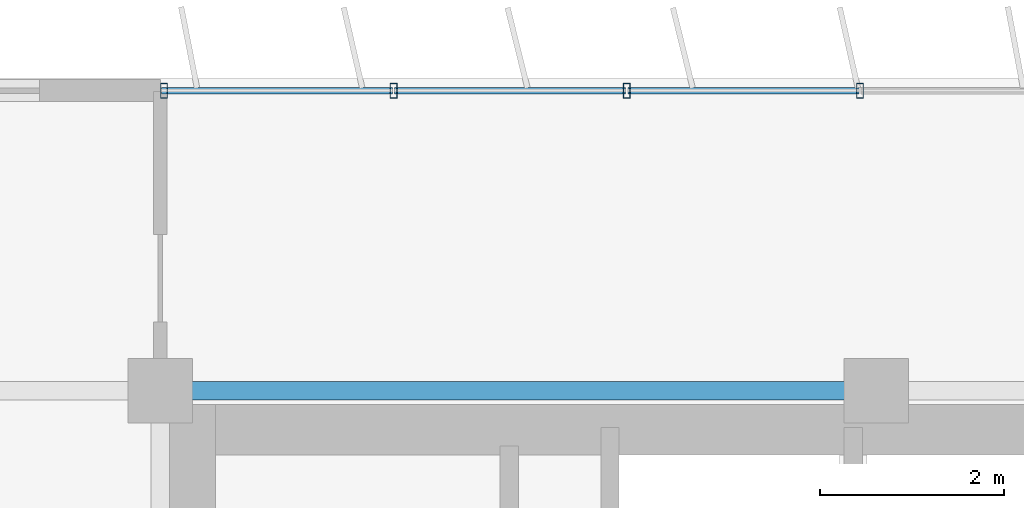
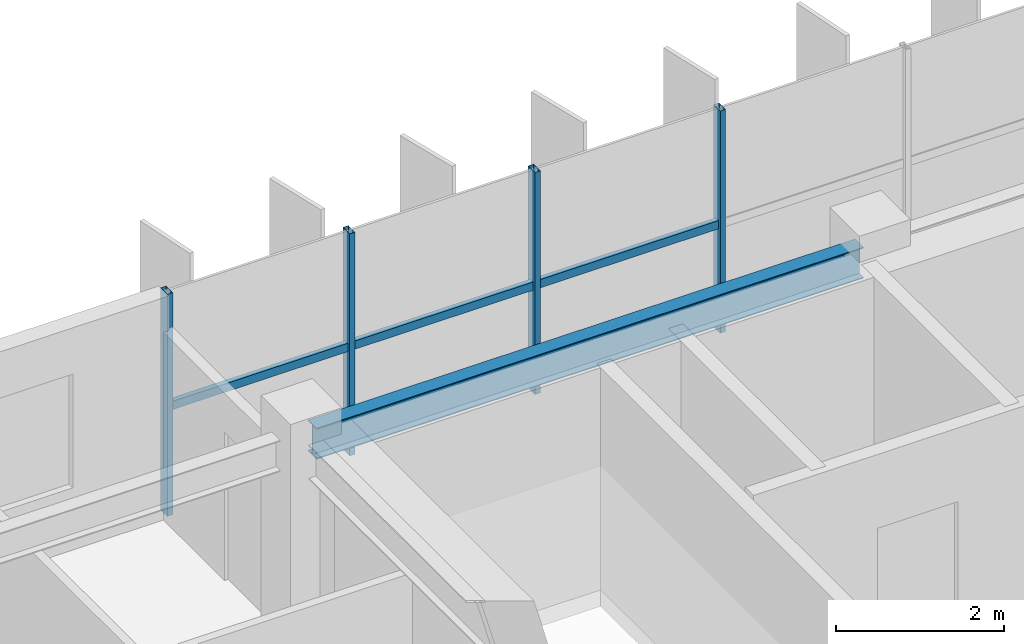
# One storey, part 19 of 37: 7 members, 1 beam, 1 element without a shape of its own.
"""IFC4 building model written with IfcOpenShell, lengths in metres."""

from ifc_helpers import new_model, si_unit, direction, frame, origin, origin_2d, place, context, subcontext, project, spatial, hollow_rectangle, i_section, extrude, source, transform, mapped, material, material_profile, profile_set, type_object, element, aggregate, save


model = new_model("IFC4")

# Units and contexts
model_context = context("Model", 3, precision=1e-05, world=origin(), true_north=direction((0.0, 1.0)))
body_context = subcontext(model_context, "Body", "Model", "MODEL_VIEW")
ifc_project = project(units=[si_unit("LENGTHUNIT", "METRE"), si_unit("AREAUNIT", "SQUARE_METRE"), si_unit("VOLUMEUNIT", "CUBIC_METRE"), si_unit("PLANEANGLEUNIT", "RADIAN"), si_unit("MASSUNIT", "GRAM", prefix="KILO")], contexts=[model_context])

# Site, building, storey
site_placement = place(None, origin())
site = spatial("IfcSite", under=ifc_project, at=site_placement, CompositionType="ELEMENT")
building_placement = place(site_placement, origin())
building = spatial("IfcBuilding", under=site, at=building_placement, Name="Trelvane Seafront Commons", CompositionType="ELEMENT")
storey_placement = place(building_placement, frame((0.0, 0.0, 201.300048828125)))
storey = spatial("IfcBuildingStorey", under=building, at=storey_placement, Name="L52", CompositionType="ELEMENT", Elevation=201.300048828125)

# Beam
ifc_material_1 = material(Name="Steel SM355 (S355)", Category="steel")
ifc_material_profile_1 = material_profile(ifc_material_1, i_section(OverallWidth=0.199951171875, OverallDepth=0.449951171875, WebThickness=0.009033203125, FlangeThickness=0.013916015625, at=origin_2d()), Name="H-450x200x9x14")
ifc_profile_set_1 = profile_set([ifc_material_profile_1], Name="Steel SM355 (S355)")
beam_type = type_object("IfcBeamType", Name="STR-SPD-H450", PredefinedType="SPANDREL", material=ifc_profile_set_1)
shared_shape_1 = source(origin(), body_context, "Body", "SweptSolid", [
    extrude(i_section(OverallWidth=0.199951171875, OverallDepth=0.449951171875, WebThickness=0.009033203125, FlangeThickness=0.013916015625, at=origin_2d()), origin(), (0.0, 0.0, 1.0), 7.5),
])
beam_placement = place(storey_placement, frame((15.75, 45.10009765625, 2.994873046875), z_axis=(1.0, 0.0, 0.0), x_axis=(0.0, 1.0, 0.0)))
element("IfcBeam", 1, at=beam_placement, inside=storey, type_object=beam_type, Name="L52 Primary Girder G-23", PredefinedType="SPANDREL", context=body_context, shape_type="MappedRepresentation", body=[
    mapped(shared_shape_1, transform((0.0, 0.0, 0.0), x_axis=(1.0, 0.0, 0.0), y_axis=(0.0, 1.0, 0.0), z_axis=(0.0, 0.0, 1.0), scale=1.0)),
])

# Curtain wall, members
ifc_material_2 = material(Name="Anodised pale-silver aluminium", Category="aluminium")
curtain_wall_type = type_object("IfcCurtainWallType", Name="ARCH-CW5-UPTOWER", PredefinedType="NOTDEFINED", material=ifc_material_2)
curtain_wall_placement = place(storey_placement, origin())
curtain_wall = element("IfcCurtainWall", 2, at=curtain_wall_placement, inside=storey, type_object=curtain_wall_type, Name="CW-L52-0090", PredefinedType="NOTDEFINED")
ifc_material_profile_2 = material_profile(ifc_material_2, hollow_rectangle(XDim=0.070068359375, YDim=0.1201171875, WallThickness=0.00390625, at=origin_2d()), Name="TRAN-70x120x4")
ifc_profile_set_2 = profile_set([ifc_material_profile_2], Name="Anodised pale-silver aluminium")
member_type_1 = type_object("IfcMemberType", Name="ARCH-CW-TRAN-120", PredefinedType="USERDEFINED", material=ifc_profile_set_2)
shared_shape_2 = source(origin(), body_context, "Body", "SweptSolid", [
    extrude(hollow_rectangle(XDim=0.070068359375, YDim=0.1201171875, WallThickness=0.00390625, at=origin_2d()), origin(), (0.0, 0.0, 1.0), 2.51708984375),
])
member_1_placement = place(storey_placement, frame((15.612060546875, 48.3701171875, 1.5458984375), z_axis=(1.0, 0.0, 0.0), x_axis=(0.0, 1.0, 0.0)))
member_1 = element("IfcMember", 3, at=member_1_placement, type_object=member_type_1, Name="CW-L52-0090-T00", ObjectType="TRANSOM", PredefinedType="USERDEFINED", context=body_context, shape_type="MappedRepresentation", body=[
    mapped(shared_shape_2, transform((0.0, 0.0, 0.0), x_axis=(1.0, 0.0, 0.0), y_axis=(0.0, 1.0, 0.0), z_axis=(0.0, 0.0, 1.0), scale=1.0)),
])
member_2_placement = place(storey_placement, frame((18.1533203125, 48.3701171875, 1.5458984375), z_axis=(1.0, 0.0, 0.0), x_axis=(0.0, 1.0, 0.0)))
member_2 = element("IfcMember", 4, at=member_2_placement, type_object=member_type_1, Name="CW-L52-0090-T01", ObjectType="TRANSOM", PredefinedType="USERDEFINED", context=body_context, shape_type="MappedRepresentation", body=[
    mapped(shared_shape_2, transform((0.0, 0.0, 0.0), x_axis=(1.0, 0.0, 0.0), y_axis=(0.0, 1.0, 0.0), z_axis=(0.0, 0.0, 1.0), scale=1.0)),
])
member_3_placement = place(storey_placement, frame((20.6943359375, 48.3701171875, 1.5458984375), z_axis=(1.0, 0.0, 0.0), x_axis=(0.0, 1.0, 0.0)))
member_3 = element("IfcMember", 5, at=member_3_placement, type_object=member_type_1, Name="CW-L52-0090-T02", ObjectType="TRANSOM", PredefinedType="USERDEFINED", context=body_context, shape_type="MappedRepresentation", body=[
    mapped(shared_shape_2, transform((0.0, 0.0, 0.0), x_axis=(1.0, 0.0, 0.0), y_axis=(0.0, 1.0, 0.0), z_axis=(0.0, 0.0, 1.0), scale=1.0)),
])
ifc_material_profile_3 = material_profile(ifc_material_2, hollow_rectangle(XDim=0.074951171875, YDim=0.159912109375, WallThickness=0.00390625, at=origin_2d()), Name="MULL-75x160x4")
ifc_profile_set_3 = profile_set([ifc_material_profile_3], Name="Anodised pale-silver aluminium")
member_type_2 = type_object("IfcMemberType", Name="ARCH-CW-MULL-160", PredefinedType="MULLION", material=ifc_profile_set_3)
shared_shape_3 = source(origin(), body_context, "Body", "SweptSolid", [
    extrude(hollow_rectangle(XDim=0.074951171875, YDim=0.159912109375, WallThickness=0.00390625, at=origin_2d()), origin(), (0.0, 0.0, 1.0), 3.219970703125),
])
member_4_placement = place(storey_placement, frame((15.639892578125, 48.3701171875, 0.0), z_axis=(0.0, 0.0, 1.0), x_axis=(1.0, 0.0, 0.0)))
member_4 = element("IfcMember", 6, at=member_4_placement, type_object=member_type_2, Name="CW-L52-0090-M00", PredefinedType="MULLION", context=body_context, shape_type="MappedRepresentation", body=[
    mapped(shared_shape_3, transform((0.0, 0.0, 0.0), x_axis=(1.0, 0.0, 0.0), y_axis=(0.0, 1.0, 0.0), z_axis=(0.0, 0.0, 1.0), scale=1.0)),
])
member_5_placement = place(storey_placement, frame((18.14111328125, 48.3701171875, 0.0), z_axis=(0.0, 0.0, 1.0), x_axis=(1.0, 0.0, 0.0)))
member_5 = element("IfcMember", 7, at=member_5_placement, type_object=member_type_2, Name="CW-L52-0090-M01", PredefinedType="MULLION", context=body_context, shape_type="MappedRepresentation", body=[
    mapped(shared_shape_3, transform((0.0, 0.0, 0.0), x_axis=(1.0, 0.0, 0.0), y_axis=(0.0, 1.0, 0.0), z_axis=(0.0, 0.0, 1.0), scale=1.0)),
])
member_6_placement = place(storey_placement, frame((20.682373046875, 48.3701171875, 0.0), z_axis=(0.0, 0.0, 1.0), x_axis=(1.0, 0.0, 0.0)))
member_6 = element("IfcMember", 8, at=member_6_placement, type_object=member_type_2, Name="CW-L52-0090-M02", PredefinedType="MULLION", context=body_context, shape_type="MappedRepresentation", body=[
    mapped(shared_shape_3, transform((0.0, 0.0, 0.0), x_axis=(1.0, 0.0, 0.0), y_axis=(0.0, 1.0, 0.0), z_axis=(0.0, 0.0, 1.0), scale=1.0)),
])
member_7_placement = place(storey_placement, frame((23.223388671875, 48.3701171875, 0.0), z_axis=(0.0, 0.0, 1.0), x_axis=(1.0, 0.0, 0.0)))
member_7 = element("IfcMember", 9, at=member_7_placement, type_object=member_type_2, Name="CW-L52-0090-M03", PredefinedType="MULLION", context=body_context, shape_type="MappedRepresentation", body=[
    mapped(shared_shape_3, transform((0.0, 0.0, 0.0), x_axis=(1.0, 0.0, 0.0), y_axis=(0.0, 1.0, 0.0), z_axis=(0.0, 0.0, 1.0), scale=1.0)),
])
aggregate(curtain_wall, [member_4, member_5, member_6, member_7, member_1, member_2, member_3])

save(model, "model.ifc")
